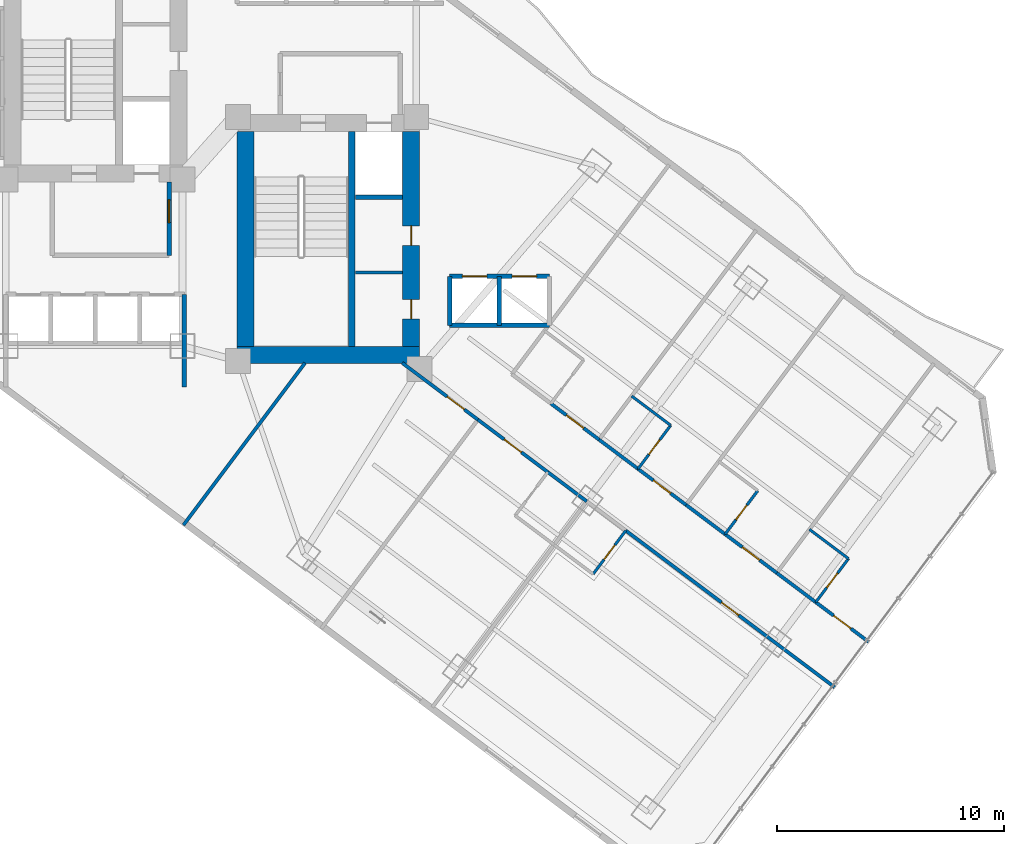
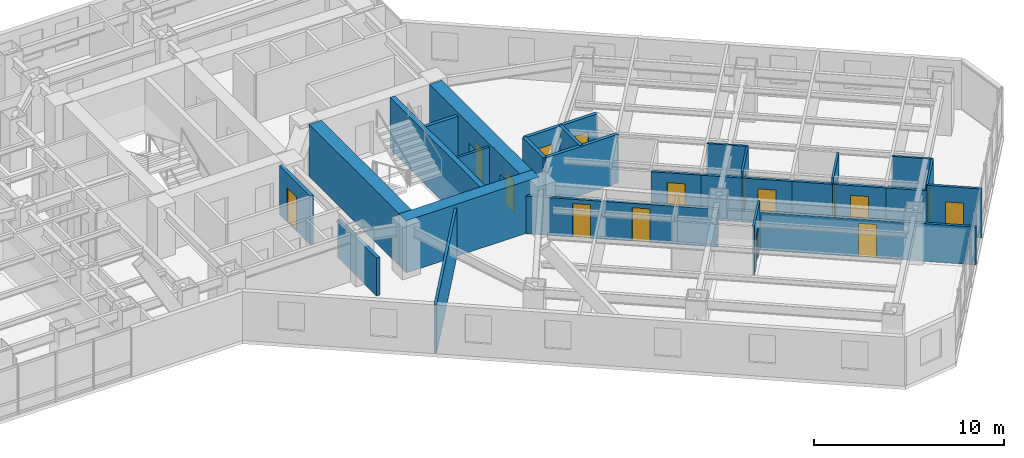
# One storey, part 23 of 33: 30 walls, 16 doors, 16 openings.
"""IFC4 building model written with IfcOpenShell, lengths in metres."""

from ifc_helpers import new_model, si_unit, direction, frame, frame_2d, origin, place, context, subcontext, project, spatial, rectangle, extrude, material, layer, layer_set, type_object, element, fill, save


model = new_model("IFC4")

# Units and contexts
model_context = context("Model", 3, precision=1e-05, world=origin(), true_north=direction((0.0, 1.0)))
body_context = subcontext(model_context, "Body", "Model", "MODEL_VIEW")
ifc_project = project(units=[si_unit("LENGTHUNIT", "METRE"), si_unit("AREAUNIT", "SQUARE_METRE"), si_unit("VOLUMEUNIT", "CUBIC_METRE"), si_unit("PLANEANGLEUNIT", "RADIAN"), si_unit("MASSUNIT", "GRAM", prefix="KILO")], contexts=[model_context])

# Site, building, storey
site_placement = place(None, origin())
site = spatial("IfcSite", under=ifc_project, at=site_placement, CompositionType="ELEMENT")
building_placement = place(site_placement, origin())
building = spatial("IfcBuilding", under=site, at=building_placement, Name="Hatsunagi Terrace Concourse", CompositionType="ELEMENT")
storey_placement = place(building_placement, frame((0.0, 0.0, 56.699951171875)))
storey = spatial("IfcBuildingStorey", under=building, at=storey_placement, Name="L14", CompositionType="ELEMENT", Elevation=56.699951171875)

# Walls
ifc_material_1 = material(Name="Concrete Fc60", Category="concrete")
ifc_layer_1 = layer(ifc_material_1, 0.75)
ifc_layer_set_1 = layer_set([ifc_layer_1], Name="CoreShearWall_Fc60_750")
wall_type_1 = type_object("IfcWallType", Name="CoreShearWall_Fc60_750", PredefinedType="SHEAR", material=ifc_layer_set_1)
wall_1_placement = place(storey_placement, frame((35.739990234375, 24.81494140625, 0.0), z_axis=(0.0, 0.0, 1.0), x_axis=(1.0, 0.0, 0.0)))
element("IfcWall", 1, at=wall_1_placement, inside=storey, type_object=wall_type_1, Name="Core B Shear Wall S L14", PredefinedType="SHEAR", context=body_context, shape_type="SweptSolid", body=[
    extrude(rectangle(XDim=8.06005859375, YDim=0.75, at=frame_2d((4.030029296875, 0.0))), origin(), (0.0, 0.0, 1.0), 3.35009765625),
])
wall_2_placement = place(storey_placement, frame((36.114990234375, 25.18994140625, 0.0), z_axis=(0.0, 0.0, 1.0), x_axis=(0.0, 1.0, 0.0)))
element("IfcWall", 2, at=wall_2_placement, inside=storey, type_object=wall_type_1, Name="Core B Shear Wall W L14", PredefinedType="SHEAR", context=body_context, shape_type="SweptSolid", body=[
    extrude(rectangle(XDim=9.47998046875, YDim=0.75, at=frame_2d((4.739990234375, 0.0))), origin(), (0.0, 0.0, 1.0), 3.35009765625),
])

# Wall, openings, doors
wall_3_placement = place(storey_placement, frame((43.425048828125, 25.18994140625, 0.0), z_axis=(0.0, 0.0, 1.0), x_axis=(0.0, 1.0, 0.0)))
wall_3 = element("IfcWall", 3, at=wall_3_placement, inside=storey, type_object=wall_type_1, Name="Core B Shear Wall E L14", PredefinedType="SHEAR", context=body_context, shape_type="SweptSolid", body=[
    extrude(rectangle(XDim=9.47998046875, YDim=0.75, at=frame_2d((4.739990234375, 0.0))), origin(), (0.0, 0.0, 1.0), 3.35009765625),
])
opening_1_placement = place(wall_3_placement, frame((1.2099609375, 0.0, 0.0)))
opening_1 = element("IfcOpeningElement", 4, at=opening_1_placement, cuts=wall_3, Name="Opening DR-085", PredefinedType="OPENING", context=body_context, shape_type="SweptSolid", body=[
    extrude(rectangle(XDim=0.85009765625, YDim=2.080078125, at=frame_2d((0.425048828125, 1.0400390625))), frame((0.0, 0.385009765625, 0.0), z_axis=(0.0, -1.0, 0.0), x_axis=(1.0, 0.0, 0.0)), (0.0, 0.0, 1.0), 0.77001953125),
])
opening_2_placement = place(wall_3_placement, frame((4.4599609375, 0.0, 0.0)))
opening_2 = element("IfcOpeningElement", 5, at=opening_2_placement, cuts=wall_3, Name="Opening DR-085", PredefinedType="OPENING", context=body_context, shape_type="SweptSolid", body=[
    extrude(rectangle(XDim=0.85009765625, YDim=2.080078125, at=frame_2d((0.425048828125, 1.0400390625))), frame((0.0, 0.385009765625, 0.0), z_axis=(0.0, -1.0, 0.0), x_axis=(1.0, 0.0, 0.0)), (0.0, 0.0, 1.0), 0.77001953125),
])
ifc_material_2 = material(Name="Painted steel", Category="steel")
door_type_1 = type_object("IfcDoorType", Name="RiserAccessDoor_EI60_850", OperationType="NOTDEFINED", PredefinedType="DOOR", material=ifc_material_2)
door_1_placement = place(opening_1_placement, origin())
door_1 = element("IfcDoor", 6, at=door_1_placement, inside=storey, type_object=door_type_1, Name="Core B Riser Door L14-1", OperationType="SINGLE_SWING_RIGHT", OverallHeight=2.080078125, OverallWidth=0.85009765625, PredefinedType="DOOR", context=body_context, shape_type="SweptSolid", body=[
    extrude(rectangle(XDim=0.85009765625, YDim=2.080078125, at=frame_2d((0.425048828125, 1.0400390625))), frame((0.0, 0.02490234375, 0.0), z_axis=(0.0, -1.0, 0.0), x_axis=(1.0, 0.0, 0.0)), (0.0, 0.0, 1.0), 0.050048828125),
])
fill(opening_1, door_1)
door_2_placement = place(opening_2_placement, origin())
door_2 = element("IfcDoor", 7, at=door_2_placement, inside=storey, type_object=door_type_1, Name="Core B Riser Door L14-2", OperationType="SINGLE_SWING_RIGHT", OverallHeight=2.080078125, OverallWidth=0.85009765625, PredefinedType="DOOR", context=body_context, shape_type="SweptSolid", body=[
    extrude(rectangle(XDim=0.85009765625, YDim=2.080078125, at=frame_2d((0.425048828125, 1.0400390625))), frame((0.0, 0.02490234375, 0.0), z_axis=(0.0, -1.0, 0.0), x_axis=(1.0, 0.0, 0.0)), (0.0, 0.0, 1.0), 0.050048828125),
])
fill(opening_2, door_2)

# Wall
ifc_material_3 = material(Name="Concrete Fc48", Category="concrete")
ifc_layer_2 = layer(ifc_material_3, 0.300048828125)
ifc_layer_set_2 = layer_set([ifc_layer_2], Name="CoreStairDivider_Fc48_300")
wall_type_2 = type_object("IfcWallType", Name="CoreStairDivider_Fc48_300", PredefinedType="SHEAR", material=ifc_layer_set_2)
wall_4_placement = place(storey_placement, frame((40.81005859375, 25.18994140625, 0.0), z_axis=(0.0, 0.0, 1.0), x_axis=(0.0, 1.0, 0.0)))
element("IfcWall", 8, at=wall_4_placement, inside=storey, type_object=wall_type_2, Name="Core B Shear Wall D L14", PredefinedType="SHEAR", context=body_context, shape_type="SweptSolid", body=[
    extrude(rectangle(XDim=9.47998046875, YDim=0.300048828125, at=frame_2d((4.739990234375, 0.0))), origin(), (0.0, 0.0, 1.0), 3.35009765625),
])

# Wall, opening, door
ifc_material_4 = material(Name="Acoustic mineral board", Category="gypsum")
ifc_layer_3 = layer(ifc_material_4, 0.1201171875)
ifc_layer_set_3 = layer_set([ifc_layer_3], Name="PartitionWall_EI30_120")
wall_type_3 = type_object("IfcWallType", Name="PartitionWall_EI30_120", PredefinedType="PARTITIONING", material=ifc_layer_set_3)
wall_5_placement = place(storey_placement, frame((53.429931640625, 19.7900390625, 0.0), z_axis=(0.0, 0.0, 1.0), x_axis=(0.600065100855, 0.79995117022, 0.0)))
wall_5 = element("IfcWall", 9, at=wall_5_placement, inside=storey, type_object=wall_type_3, Name="Interior Partition IW-L14-079", PredefinedType="PARTITIONING", context=body_context, shape_type="SweptSolid", body=[
    extrude(rectangle(XDim=2.400146484375, YDim=0.1201171875, at=frame_2d((1.2001953125, 0.0))), origin(), (0.0, 0.0, 1.0), 3.130126953125),
])
opening_3_placement = place(wall_5_placement, frame((0.800048828125, 0.0, 0.0)))
opening_3 = element("IfcOpeningElement", 10, at=opening_3_placement, cuts=wall_5, Name="Opening DR-080", PredefinedType="OPENING", context=body_context, shape_type="SweptSolid", body=[
    extrude(rectangle(XDim=0.800048828125, YDim=2.06005859375, at=frame_2d((0.39990234375, 1.030029296875))), frame((0.0, 0.070068359375, 0.0), z_axis=(0.0, -1.0, 0.0), x_axis=(1.0, 0.0, 0.0)), (0.0, 0.0, 1.0), 0.14013671875),
])
ifc_material_5 = material(Name="Hardwood timber", Category="wood")
door_type_2 = type_object("IfcDoorType", Name="BathroomDoor_800", OperationType="NOTDEFINED", PredefinedType="DOOR", material=ifc_material_5)
door_3_placement = place(opening_3_placement, origin())
door_3 = element("IfcDoor", 11, at=door_3_placement, inside=storey, type_object=door_type_2, Name="En-Suite Bathroom L14-SENE2 Door", OperationType="SINGLE_SWING_RIGHT", OverallHeight=2.06005859375, OverallWidth=0.800048828125, PredefinedType="DOOR", context=body_context, shape_type="SweptSolid", body=[
    extrude(rectangle(XDim=0.800048828125, YDim=2.06005859375, at=frame_2d((0.39990234375, 1.030029296875))), frame((0.0, 0.02490234375, 0.0), z_axis=(0.0, -1.0, 0.0), x_axis=(1.0, 0.0, 0.0)), (0.0, 0.0, 1.0), 0.050048828125),
])
fill(opening_3, door_3)

# Wall
wall_6_placement = place(storey_placement, frame((53.14990234375, 23.0, 0.0), z_axis=(0.0, 0.0, 1.0), x_axis=(0.800027249606, -0.599963665473, 0.0)))
element("IfcWall", 12, at=wall_6_placement, inside=storey, type_object=wall_type_3, Name="Interior Partition IW-L14-080", PredefinedType="PARTITIONING", context=body_context, shape_type="SweptSolid", body=[
    extrude(rectangle(XDim=2.150146484375, YDim=0.1201171875, at=frame_2d((1.0751953125, 0.0))), origin(), (0.0, 0.0, 1.0), 3.130126953125),
])

# Wall, opening, door
wall_7_placement = place(storey_placement, frame((57.27001953125, 16.909912109375, 0.0), z_axis=(0.0, 0.0, 1.0), x_axis=(0.599951172744, 0.800036618114, 0.0)))
wall_7 = element("IfcWall", 13, at=wall_7_placement, inside=storey, type_object=wall_type_3, Name="Interior Partition IW-L14-084", PredefinedType="PARTITIONING", context=body_context, shape_type="SweptSolid", body=[
    extrude(rectangle(XDim=2.400146484375, YDim=0.1201171875, at=frame_2d((1.2001953125, 0.0))), origin(), (0.0, 0.0, 1.0), 3.130126953125),
])
opening_4_placement = place(wall_7_placement, frame((0.800048828125, 0.0, 0.0)))
opening_4 = element("IfcOpeningElement", 14, at=opening_4_placement, cuts=wall_7, Name="Opening DR-080", PredefinedType="OPENING", context=body_context, shape_type="SweptSolid", body=[
    extrude(rectangle(XDim=0.800048828125, YDim=2.06005859375, at=frame_2d((0.39990234375, 1.030029296875))), frame((0.0, 0.070068359375, 0.0), z_axis=(0.0, -1.0, 0.0), x_axis=(1.0, 0.0, 0.0)), (0.0, 0.0, 1.0), 0.14013671875),
])
door_4_placement = place(opening_4_placement, origin())
door_4 = element("IfcDoor", 15, at=door_4_placement, inside=storey, type_object=door_type_2, Name="En-Suite Bathroom L14-SENE3 Door", OperationType="SINGLE_SWING_LEFT", OverallHeight=2.06005859375, OverallWidth=0.800048828125, PredefinedType="DOOR", context=body_context, shape_type="SweptSolid", body=[
    extrude(rectangle(XDim=0.800048828125, YDim=2.06005859375, at=frame_2d((0.39990234375, 1.030029296875))), frame((0.0, 0.02490234375, 0.0), z_axis=(0.0, -1.0, 0.0), x_axis=(1.0, 0.0, 0.0)), (0.0, 0.0, 1.0), 0.050048828125),
])
fill(opening_4, door_4)

wall_8_placement = place(storey_placement, frame((61.27001953125, 13.909912109375, 0.0), z_axis=(0.0, 0.0, 1.0), x_axis=(0.599951172744, 0.800036618114, 0.0)))
wall_8 = element("IfcWall", 16, at=wall_8_placement, inside=storey, type_object=wall_type_3, Name="Interior Partition IW-L14-089", PredefinedType="PARTITIONING", context=body_context, shape_type="SweptSolid", body=[
    extrude(rectangle(XDim=2.400146484375, YDim=0.1201171875, at=frame_2d((1.2001953125, 0.0))), origin(), (0.0, 0.0, 1.0), 3.130126953125),
])
opening_5_placement = place(wall_8_placement, frame((0.800048828125, 0.0, 0.0)))
opening_5 = element("IfcOpeningElement", 17, at=opening_5_placement, cuts=wall_8, Name="Opening DR-080", PredefinedType="OPENING", context=body_context, shape_type="SweptSolid", body=[
    extrude(rectangle(XDim=0.800048828125, YDim=2.06005859375, at=frame_2d((0.39990234375, 1.030029296875))), frame((0.0, 0.070068359375, 0.0), z_axis=(0.0, -1.0, 0.0), x_axis=(1.0, 0.0, 0.0)), (0.0, 0.0, 1.0), 0.14013671875),
])
door_5_placement = place(opening_5_placement, origin())
door_5 = element("IfcDoor", 18, at=door_5_placement, inside=storey, type_object=door_type_2, Name="En-Suite Bathroom L14-SENE4 Door", OperationType="SINGLE_SWING_RIGHT", OverallHeight=2.06005859375, OverallWidth=0.800048828125, PredefinedType="DOOR", context=body_context, shape_type="SweptSolid", body=[
    extrude(rectangle(XDim=0.800048828125, YDim=2.06005859375, at=frame_2d((0.39990234375, 1.030029296875))), frame((0.0, 0.02490234375, 0.0), z_axis=(0.0, -1.0, 0.0), x_axis=(1.0, 0.0, 0.0)), (0.0, 0.0, 1.0), 0.050048828125),
])
fill(opening_5, door_5)

# Wall
wall_9_placement = place(storey_placement, frame((60.989990234375, 17.1201171875, 0.0), z_axis=(0.0, 0.0, 1.0), x_axis=(0.79998637334, -0.60001816845, 0.0)))
element("IfcWall", 19, at=wall_9_placement, inside=storey, type_object=wall_type_3, Name="Interior Partition IW-L14-090", PredefinedType="PARTITIONING", context=body_context, shape_type="SweptSolid", body=[
    extrude(rectangle(XDim=2.14990234375, YDim=0.1201171875, at=frame_2d((1.074951171875, 0.0))), origin(), (0.0, 0.0, 1.0), 3.130126953125),
])

# Wall, opening, door
wall_10_placement = place(storey_placement, frame((51.449951171875, 15.14990234375, 0.0), z_axis=(0.0, 0.0, 1.0), x_axis=(0.599951172744, 0.800036618114, 0.0)))
wall_10 = element("IfcWall", 20, at=wall_10_placement, inside=storey, type_object=wall_type_3, Name="Interior Partition IW-L14-098", PredefinedType="PARTITIONING", context=body_context, shape_type="SweptSolid", body=[
    extrude(rectangle(XDim=2.400146484375, YDim=0.1201171875, at=frame_2d((1.2001953125, 0.0))), origin(), (0.0, 0.0, 1.0), 3.130126953125),
])
opening_6_placement = place(wall_10_placement, frame((0.800048828125, 0.0, 0.0)))
opening_6 = element("IfcOpeningElement", 21, at=opening_6_placement, cuts=wall_10, Name="Opening DR-080", PredefinedType="OPENING", context=body_context, shape_type="SweptSolid", body=[
    extrude(rectangle(XDim=0.800048828125, YDim=2.06005859375, at=frame_2d((0.39990234375, 1.030029296875))), frame((0.0, 0.070068359375, 0.0), z_axis=(0.0, -1.0, 0.0), x_axis=(1.0, 0.0, 0.0)), (0.0, 0.0, 1.0), 0.14013671875),
])
door_6_placement = place(opening_6_placement, origin())
door_6 = element("IfcDoor", 22, at=door_6_placement, inside=storey, type_object=door_type_2, Name="En-Suite Bathroom L14-SESW2 Door", OperationType="SINGLE_SWING_RIGHT", OverallHeight=2.06005859375, OverallWidth=0.800048828125, PredefinedType="DOOR", context=body_context, shape_type="SweptSolid", body=[
    extrude(rectangle(XDim=0.800048828125, YDim=2.06005859375, at=frame_2d((0.39990234375, 1.030029296875))), frame((0.0, 0.02490234375, 0.0), z_axis=(0.0, -1.0, 0.0), x_axis=(1.0, 0.0, 0.0)), (0.0, 0.0, 1.0), 0.050048828125),
])
fill(opening_6, door_6)

# Wall
ifc_material_6 = material(Name="Acoustic mineral board", Category="gypsum")
ifc_layer_4 = layer(ifc_material_6, 0.14990234375)
ifc_layer_set_4 = layer_set([ifc_layer_4], Name="PartitionWall_EI60_150")
wall_type_4 = type_object("IfcWallType", Name="PartitionWall_EI60_150", PredefinedType="PARTITIONING", material=ifc_layer_set_4)
wall_11_placement = place(storey_placement, frame((40.969970703125, 28.449951171875, 0.0), z_axis=(0.0, 0.0, 1.0), x_axis=(1.0, 0.0, 0.0)))
element("IfcWall", 23, at=wall_11_placement, inside=storey, type_object=wall_type_4, Name="Interior Partition IW-L14-004", PredefinedType="PARTITIONING", context=body_context, shape_type="SweptSolid", body=[
    extrude(rectangle(XDim=2.080078125, YDim=0.14990234375, at=frame_2d((1.0400390625, 0.0))), origin(), (0.0, 0.0, 1.0), 3.130126953125),
])

# Wall, opening, door
wall_12_placement = place(storey_placement, frame((43.037109375, 24.4599609375, 0.0), z_axis=(0.0, 0.0, 1.0), x_axis=(0.799971872363, -0.600037501685, 0.0)))
wall_12 = element("IfcWall", 24, at=wall_12_placement, inside=storey, type_object=wall_type_4, Name="Interior Partition IW-L14-041", PredefinedType="PARTITIONING", context=body_context, shape_type="SweptSolid", body=[
    extrude(rectangle(XDim=4.16650390625, YDim=0.14990234375, at=frame_2d((2.083251953125, 0.0))), origin(), (0.0, 0.0, 1.0), 2.425048828125),
])
opening_7_placement = place(wall_12_placement, frame((2.468017578125, 0.0, 0.0)))
opening_7 = element("IfcOpeningElement", 25, at=opening_7_placement, cuts=wall_12, Name="Opening DR-095", PredefinedType="OPENING", context=body_context, shape_type="SweptSolid", body=[
    extrude(rectangle(XDim=0.949951171875, YDim=2.14990234375, at=frame_2d((0.47509765625, 1.074951171875))), frame((0.0, 0.0849609375, 0.0), z_axis=(0.0, -1.0, 0.0), x_axis=(1.0, 0.0, 0.0)), (0.0, 0.0, 1.0), 0.169921875),
])
ifc_material_7 = material(Name="Hardwood timber", Category="wood")
door_type_3 = type_object("IfcDoorType", Name="InteriorSuiteDoor_EI30_950", OperationType="NOTDEFINED", PredefinedType="DOOR", material=ifc_material_7)
door_7_placement = place(opening_7_placement, origin())
door_7 = element("IfcDoor", 26, at=door_7_placement, inside=storey, type_object=door_type_3, Name="Meeting Room L14-HMTG Door", OperationType="SINGLE_SWING_RIGHT", OverallHeight=2.14990234375, OverallWidth=0.949951171875, PredefinedType="DOOR", context=body_context, shape_type="SweptSolid", body=[
    extrude(rectangle(XDim=0.949951171875, YDim=2.14990234375, at=frame_2d((0.47509765625, 1.074951171875))), frame((0.0, 0.02490234375, 0.0), z_axis=(0.0, -1.0, 0.0), x_axis=(1.0, 0.0, 0.0)), (0.0, 0.0, 1.0), 0.050048828125),
])
fill(opening_7, door_7)

# Wall
wall_13_placement = place(storey_placement, frame((33.384033203125, 17.31201171875, 0.0), z_axis=(0.0, 0.0, 1.0), x_axis=(0.600008743659, 0.799993442181, 0.0)))
element("IfcWall", 27, at=wall_13_placement, inside=storey, type_object=wall_type_4, Name="Interior Partition IW-L14-042", PredefinedType="PARTITIONING", context=body_context, shape_type="SweptSolid", body=[
    extrude(rectangle(XDim=8.93505859375, YDim=0.14990234375, at=frame_2d((4.467529296875, 0.0))), origin(), (0.0, 0.0, 1.0), 3.130126953125),
])

# Wall, opening, door
wall_14_placement = place(storey_placement, frame((49.590087890625, 22.669921875, 0.0), z_axis=(0.0, 0.0, 1.0), x_axis=(0.800011056104, -0.599985258246, 0.0)))
wall_14 = element("IfcWall", 28, at=wall_14_placement, inside=storey, type_object=wall_type_4, Name="Interior Partition IW-L14-072", PredefinedType="PARTITIONING", context=body_context, shape_type="SweptSolid", body=[
    extrude(rectangle(XDim=2.64990234375, YDim=0.14990234375, at=frame_2d((1.324951171875, 0.0))), origin(), (0.0, 0.0, 1.0), 2.775146484375),
])
opening_8_placement = place(wall_14_placement, frame((0.85009765625, 0.0, 0.0)))
opening_8 = element("IfcOpeningElement", 29, at=opening_8_placement, cuts=wall_14, Name="Opening DR-095", PredefinedType="OPENING", context=body_context, shape_type="SweptSolid", body=[
    extrude(rectangle(XDim=0.949951171875, YDim=2.14990234375, at=frame_2d((0.47509765625, 1.074951171875))), frame((0.0, 0.0849609375, 0.0), z_axis=(0.0, -1.0, 0.0), x_axis=(1.0, 0.0, 0.0)), (0.0, 0.0, 1.0), 0.169921875),
])
door_8_placement = place(opening_8_placement, origin())
door_8 = element("IfcDoor", 30, at=door_8_placement, inside=storey, type_object=door_type_3, Name="Hotel Guest Room L14-SENE1 Door", OperationType="SINGLE_SWING_LEFT", OverallHeight=2.14990234375, OverallWidth=0.949951171875, PredefinedType="DOOR", context=body_context, shape_type="SweptSolid", body=[
    extrude(rectangle(XDim=0.949951171875, YDim=2.14990234375, at=frame_2d((0.47509765625, 1.074951171875))), frame((0.0, 0.02490234375, 0.0), z_axis=(0.0, -1.0, 0.0), x_axis=(1.0, 0.0, 0.0)), (0.0, 0.0, 1.0), 0.050048828125),
])
fill(opening_8, door_8)

# Wall
wall_15_placement = place(storey_placement, frame((51.7099609375, 21.080078125, 0.0), z_axis=(0.0, 0.0, 1.0), x_axis=(0.79998637334, -0.60001816845, 0.0)))
element("IfcWall", 31, at=wall_15_placement, inside=storey, type_object=wall_type_4, Name="Interior Partition IW-L14-077", PredefinedType="PARTITIONING", context=body_context, shape_type="SweptSolid", body=[
    extrude(rectangle(XDim=2.14990234375, YDim=0.14990234375, at=frame_2d((1.074951171875, 0.0))), origin(), (0.0, 0.0, 1.0), 2.775146484375),
])

# Wall, opening, door
wall_16_placement = place(storey_placement, frame((53.429931640625, 19.7900390625, 0.0), z_axis=(0.0, 0.0, 1.0), x_axis=(0.8, -0.6, 0.0)))
wall_16 = element("IfcWall", 32, at=wall_16_placement, inside=storey, type_object=wall_type_4, Name="Interior Partition IW-L14-078", PredefinedType="PARTITIONING", context=body_context, shape_type="SweptSolid", body=[
    extrude(rectangle(XDim=2.650146484375, YDim=0.14990234375, at=frame_2d((1.3251953125, 0.0))), origin(), (0.0, 0.0, 1.0), 2.775146484375),
])
opening_9_placement = place(wall_16_placement, frame((0.85009765625, 0.0, 0.0)))
opening_9 = element("IfcOpeningElement", 33, at=opening_9_placement, cuts=wall_16, Name="Opening DR-095", PredefinedType="OPENING", context=body_context, shape_type="SweptSolid", body=[
    extrude(rectangle(XDim=0.949951171875, YDim=2.14990234375, at=frame_2d((0.47509765625, 1.074951171875))), frame((0.0, 0.0849609375, 0.0), z_axis=(0.0, -1.0, 0.0), x_axis=(1.0, 0.0, 0.0)), (0.0, 0.0, 1.0), 0.169921875),
])
door_9_placement = place(opening_9_placement, origin())
door_9 = element("IfcDoor", 34, at=door_9_placement, inside=storey, type_object=door_type_3, Name="Hotel Guest Room L14-SENE2 Door", OperationType="SINGLE_SWING_LEFT", OverallHeight=2.14990234375, OverallWidth=0.949951171875, PredefinedType="DOOR", context=body_context, shape_type="SweptSolid", body=[
    extrude(rectangle(XDim=0.949951171875, YDim=2.14990234375, at=frame_2d((0.47509765625, 1.074951171875))), frame((0.0, 0.02490234375, 0.0), z_axis=(0.0, -1.0, 0.0), x_axis=(1.0, 0.0, 0.0)), (0.0, 0.0, 1.0), 0.050048828125),
])
fill(opening_9, door_9)

# Wall
wall_17_placement = place(storey_placement, frame((55.550048828125, 18.199951171875, 0.0), z_axis=(0.0, 0.0, 1.0), x_axis=(0.79998637334, -0.60001816845, 0.0)))
element("IfcWall", 35, at=wall_17_placement, inside=storey, type_object=wall_type_4, Name="Interior Partition IW-L14-082", PredefinedType="PARTITIONING", context=body_context, shape_type="SweptSolid", body=[
    extrude(rectangle(XDim=2.14990234375, YDim=0.14990234375, at=frame_2d((1.074951171875, 0.0))), origin(), (0.0, 0.0, 1.0), 2.775146484375),
])

# Wall, opening, door
wall_18_placement = place(storey_placement, frame((57.27001953125, 16.909912109375, 0.0), z_axis=(0.0, 0.0, 1.0), x_axis=(0.800010279488, -0.599986293772, 0.0)))
wall_18 = element("IfcWall", 36, at=wall_18_placement, inside=storey, type_object=wall_type_4, Name="Interior Partition IW-L14-083", PredefinedType="PARTITIONING", context=body_context, shape_type="SweptSolid", body=[
    extrude(rectangle(XDim=2.85009765625, YDim=0.14990234375, at=frame_2d((1.425048828125, 0.0))), origin(), (0.0, 0.0, 1.0), 2.775146484375),
])
opening_10_placement = place(wall_18_placement, frame((0.949951171875, 0.0, 0.0)))
opening_10 = element("IfcOpeningElement", 37, at=opening_10_placement, cuts=wall_18, Name="Opening DR-095", PredefinedType="OPENING", context=body_context, shape_type="SweptSolid", body=[
    extrude(rectangle(XDim=0.949951171875, YDim=2.14990234375, at=frame_2d((0.47509765625, 1.074951171875))), frame((0.0, 0.0849609375, 0.0), z_axis=(0.0, -1.0, 0.0), x_axis=(1.0, 0.0, 0.0)), (0.0, 0.0, 1.0), 0.169921875),
])
door_10_placement = place(opening_10_placement, origin())
door_10 = element("IfcDoor", 38, at=door_10_placement, inside=storey, type_object=door_type_3, Name="Hotel Guest Room L14-SENE3 Door", OperationType="SINGLE_SWING_LEFT", OverallHeight=2.14990234375, OverallWidth=0.949951171875, PredefinedType="DOOR", context=body_context, shape_type="SweptSolid", body=[
    extrude(rectangle(XDim=0.949951171875, YDim=2.14990234375, at=frame_2d((0.47509765625, 1.074951171875))), frame((0.0, 0.02490234375, 0.0), z_axis=(0.0, -1.0, 0.0), x_axis=(1.0, 0.0, 0.0)), (0.0, 0.0, 1.0), 0.050048828125),
])
fill(opening_10, door_10)

# Wall
wall_19_placement = place(storey_placement, frame((59.550048828125, 15.199951171875, 0.0), z_axis=(0.0, 0.0, 1.0), x_axis=(0.79998637334, -0.60001816845, 0.0)))
element("IfcWall", 39, at=wall_19_placement, inside=storey, type_object=wall_type_4, Name="Interior Partition IW-L14-087", PredefinedType="PARTITIONING", context=body_context, shape_type="SweptSolid", body=[
    extrude(rectangle(XDim=2.14990234375, YDim=0.14990234375, at=frame_2d((1.074951171875, 0.0))), origin(), (0.0, 0.0, 1.0), 2.775146484375),
])

# Wall, opening, door
wall_20_placement = place(storey_placement, frame((61.27001953125, 13.909912109375, 0.0), z_axis=(0.0, 0.0, 1.0), x_axis=(0.800010068184, -0.59998657552, 0.0)))
wall_20 = element("IfcWall", 40, at=wall_20_placement, inside=storey, type_object=wall_type_4, Name="Interior Partition IW-L14-088", PredefinedType="PARTITIONING", context=body_context, shape_type="SweptSolid", body=[
    extrude(rectangle(XDim=2.909912109375, YDim=0.14990234375, at=frame_2d((1.455078125, 0.0))), origin(), (0.0, 0.0, 1.0), 3.130126953125),
])
opening_11_placement = place(wall_20_placement, frame((0.97998046875, 0.0, 0.0)))
opening_11 = element("IfcOpeningElement", 41, at=opening_11_placement, cuts=wall_20, Name="Opening DR-095", PredefinedType="OPENING", context=body_context, shape_type="SweptSolid", body=[
    extrude(rectangle(XDim=0.949951171875, YDim=2.14990234375, at=frame_2d((0.47509765625, 1.074951171875))), frame((0.0, 0.0849609375, 0.0), z_axis=(0.0, -1.0, 0.0), x_axis=(1.0, 0.0, 0.0)), (0.0, 0.0, 1.0), 0.169921875),
])
door_11_placement = place(opening_11_placement, origin())
door_11 = element("IfcDoor", 42, at=door_11_placement, inside=storey, type_object=door_type_3, Name="Hotel Guest Room L14-SENE4 Door", OperationType="SINGLE_SWING_LEFT", OverallHeight=2.14990234375, OverallWidth=0.949951171875, PredefinedType="DOOR", context=body_context, shape_type="SweptSolid", body=[
    extrude(rectangle(XDim=0.949951171875, YDim=2.14990234375, at=frame_2d((0.47509765625, 1.074951171875))), frame((0.0, 0.02490234375, 0.0), z_axis=(0.0, -1.0, 0.0), x_axis=(1.0, 0.0, 0.0)), (0.0, 0.0, 1.0), 0.050048828125),
])
fill(opening_11, door_11)

wall_21_placement = place(storey_placement, frame((46.3701171875, 21.9599609375, 0.0), z_axis=(0.0, 0.0, 1.0), x_axis=(0.799977170108, -0.600030438649, 0.0)))
wall_21 = element("IfcWall", 43, at=wall_21_placement, inside=storey, type_object=wall_type_4, Name="Interior Partition IW-L14-091", PredefinedType="PARTITIONING", context=body_context, shape_type="SweptSolid", body=[
    extrude(rectangle(XDim=3.849853515625, YDim=0.14990234375, at=frame_2d((1.9248046875, 0.0))), origin(), (0.0, 0.0, 1.0), 2.425048828125),
])
opening_12_placement = place(wall_21_placement, frame((1.449951171875, 0.0, 0.0)))
opening_12 = element("IfcOpeningElement", 44, at=opening_12_placement, cuts=wall_21, Name="Opening DR-095", PredefinedType="OPENING", context=body_context, shape_type="SweptSolid", body=[
    extrude(rectangle(XDim=0.949951171875, YDim=2.14990234375, at=frame_2d((0.47509765625, 1.074951171875))), frame((0.0, 0.0849609375, 0.0), z_axis=(0.0, -1.0, 0.0), x_axis=(1.0, 0.0, 0.0)), (0.0, 0.0, 1.0), 0.169921875),
])
door_12_placement = place(opening_12_placement, origin())
door_12 = element("IfcDoor", 45, at=door_12_placement, inside=storey, type_object=door_type_3, Name="Hotel Guest Room L14-SESW1 Door", OperationType="SINGLE_SWING_RIGHT", OverallHeight=2.14990234375, OverallWidth=0.949951171875, PredefinedType="DOOR", context=body_context, shape_type="SweptSolid", body=[
    extrude(rectangle(XDim=0.949951171875, YDim=2.14990234375, at=frame_2d((0.47509765625, 1.074951171875))), frame((0.0, 0.02490234375, 0.0), z_axis=(0.0, -1.0, 0.0), x_axis=(1.0, 0.0, 0.0)), (0.0, 0.0, 1.0), 0.050048828125),
])
fill(opening_12, door_12)

# Wall
wall_22_placement = place(storey_placement, frame((49.449951171875, 19.64990234375, 0.0), z_axis=(0.0, 0.0, 1.0), x_axis=(0.800040880289, -0.59994548908, 0.0)))
element("IfcWall", 46, at=wall_22_placement, inside=storey, type_object=wall_type_4, Name="Interior Partition IW-L14-092", PredefinedType="PARTITIONING", context=body_context, shape_type="SweptSolid", body=[
    extrude(rectangle(XDim=2.14990234375, YDim=0.14990234375, at=frame_2d((1.074951171875, 0.0))), origin(), (0.0, 0.0, 1.0), 2.425048828125),
])

# Wall, opening, door
wall_23_placement = place(storey_placement, frame((52.889892578125, 17.070068359375, 0.0), z_axis=(0.0, 0.0, 1.0), x_axis=(0.8, -0.6, 0.0)))
wall_23 = element("IfcWall", 47, at=wall_23_placement, inside=storey, type_object=wall_type_4, Name="Interior Partition IW-L14-097", PredefinedType="PARTITIONING", context=body_context, shape_type="SweptSolid", body=[
    extrude(rectangle(XDim=11.510009765625, YDim=0.14990234375, at=frame_2d((5.7548828125, 0.0))), origin(), (0.0, 0.0, 1.0), 2.425048828125),
])
opening_13_placement = place(wall_23_placement, frame((5.280029296875, 0.0, 0.0)))
opening_13 = element("IfcOpeningElement", 48, at=opening_13_placement, cuts=wall_23, Name="Opening DR-095", PredefinedType="OPENING", context=body_context, shape_type="SweptSolid", body=[
    extrude(rectangle(XDim=0.949951171875, YDim=2.14990234375, at=frame_2d((0.47509765625, 1.074951171875))), frame((0.0, 0.0849609375, 0.0), z_axis=(0.0, -1.0, 0.0), x_axis=(1.0, 0.0, 0.0)), (0.0, 0.0, 1.0), 0.169921875),
])
door_13_placement = place(opening_13_placement, origin())
door_13 = element("IfcDoor", 49, at=door_13_placement, inside=storey, type_object=door_type_3, Name="Corner Hotel Suite L14-SESW2 Door", OperationType="SINGLE_SWING_RIGHT", OverallHeight=2.14990234375, OverallWidth=0.949951171875, PredefinedType="DOOR", context=body_context, shape_type="SweptSolid", body=[
    extrude(rectangle(XDim=0.949951171875, YDim=2.14990234375, at=frame_2d((0.47509765625, 1.074951171875))), frame((0.0, 0.02490234375, 0.0), z_axis=(0.0, -1.0, 0.0), x_axis=(1.0, 0.0, 0.0)), (0.0, 0.0, 1.0), 0.050048828125),
])
fill(opening_13, door_13)

# Wall
ifc_material_8 = material(Name="Acoustic mineral board", Category="gypsum")
ifc_layer_5 = layer(ifc_material_8, 0.199951171875)
ifc_layer_set_5 = layer_set([ifc_layer_5], Name="ShaftWall_EI120_200")
wall_type_5 = type_object("IfcWallType", Name="ShaftWall_EI120_200", PredefinedType="STANDARD", material=ifc_layer_set_5)
wall_24_placement = place(storey_placement, frame((40.969970703125, 31.760009765625, 0.0), z_axis=(0.0, 0.0, 1.0), x_axis=(1.0, 0.0, 0.0)))
element("IfcWall", 50, at=wall_24_placement, inside=storey, type_object=wall_type_5, Name="Interior Partition IW-L14-003", PredefinedType="STANDARD", context=body_context, shape_type="SweptSolid", body=[
    extrude(rectangle(XDim=2.080078125, YDim=0.199951171875, at=frame_2d((1.0400390625, 0.0))), origin(), (0.0, 0.0, 1.0), 3.130126953125),
])

# Wall, opening, door
wall_25_placement = place(storey_placement, frame((32.75, 29.199951171875, 0.0), z_axis=(0.0, 0.0, 1.0), x_axis=(0.0, 1.0, 0.0)))
wall_25 = element("IfcWall", 51, at=wall_25_placement, inside=storey, type_object=wall_type_5, Name="Interior Partition IW-L14-007", PredefinedType="STANDARD", context=body_context, shape_type="SweptSolid", body=[
    extrude(rectangle(XDim=3.239990234375, YDim=0.199951171875, at=frame_2d((1.6201171875, 0.0))), origin(), (0.0, 0.0, 1.0), 3.130126953125),
])
opening_14_placement = place(wall_25_placement, frame((1.449951171875, 0.0, 0.0)))
opening_14 = element("IfcOpeningElement", 52, at=opening_14_placement, cuts=wall_25, Name="Opening DR-100F", PredefinedType="OPENING", context=body_context, shape_type="SweptSolid", body=[
    extrude(rectangle(XDim=1.0, YDim=2.199951171875, at=frame_2d((0.5, 1.10009765625))), frame((0.0, 0.10986328125, 0.0), z_axis=(0.0, -1.0, 0.0), x_axis=(1.0, 0.0, 0.0)), (0.0, 0.0, 1.0), 0.219970703125),
])
ifc_material_9 = material(Name="Painted steel", Category="steel")
door_type_4 = type_object("IfcDoorType", Name="FireDoor_EI60_1000", OperationType="NOTDEFINED", PredefinedType="DOOR", material=ifc_material_9)
door_14_placement = place(opening_14_placement, origin())
door_14 = element("IfcDoor", 53, at=door_14_placement, inside=storey, type_object=door_type_4, Name="Firefighting Lobby A Door L14", OperationType="SINGLE_SWING_RIGHT", OverallHeight=2.199951171875, OverallWidth=1.0, PredefinedType="DOOR", context=body_context, shape_type="SweptSolid", body=[
    extrude(rectangle(XDim=1.0, YDim=2.199951171875, at=frame_2d((0.5, 1.10009765625))), frame((0.0, 0.02490234375, 0.0), z_axis=(0.0, -1.0, 0.0), x_axis=(1.0, 0.0, 0.0)), (0.0, 0.0, 1.0), 0.050048828125),
])
fill(opening_14, door_14)

# Walls
wall_26_placement = place(storey_placement, frame((33.429931640625, 23.39990234375, 0.0), z_axis=(0.0, 0.0, 1.0), x_axis=(0.0, 1.0, 0.0)))
element("IfcWall", 54, at=wall_26_placement, inside=storey, type_object=wall_type_5, Name="Interior Partition IW-L14-012", PredefinedType="STANDARD", context=body_context, shape_type="SweptSolid", body=[
    extrude(rectangle(XDim=4.080078125, YDim=0.199951171875, at=frame_2d((2.0400390625, 0.0))), origin(), (0.0, 0.0, 1.0), 2.425048828125),
])
wall_27_placement = place(storey_placement, frame((45.1201171875, 26.1201171875, 0.0), z_axis=(0.0, 0.0, 1.0), x_axis=(1.0, 0.0, 0.0)))
element("IfcWall", 55, at=wall_27_placement, inside=storey, type_object=wall_type_5, Name="Interior Partition IW-L14-024", PredefinedType="STANDARD", context=body_context, shape_type="SweptSolid", body=[
    extrude(rectangle(XDim=4.39990234375, YDim=0.199951171875, at=frame_2d((2.199951171875, 0.0))), origin(), (0.0, 0.0, 1.0), 3.130126953125),
])
for number, where, z_axis, x_axis, name in (
    (56, (45.1201171875, 26.1201171875, 0.0), (0.0, 0.0, 1.0), (0.0, 1.0, 0.0), "Interior Partition IW-L14-025"),
    (57, (47.320068359375, 26.1201171875, 0.0), (0.0, 0.0, 1.0), (0.0, 1.0, 0.0), "Interior Partition IW-L14-027"),
):
    element("IfcWall", number, at=place(storey_placement, frame(where, z_axis=z_axis, x_axis=x_axis)), inside=storey, type_object=wall_type_5, Name=name, PredefinedType="STANDARD", context=body_context, shape_type="SweptSolid", body=[
        extrude(rectangle(XDim=2.159912109375, YDim=0.199951171875, at=frame_2d((1.080078125, 0.0))), origin(), (0.0, 0.0, 1.0), 3.130126953125),
    ])

# Wall, openings, doors
wall_28_placement = place(storey_placement, frame((45.1201171875, 28.280029296875, 0.0), z_axis=(0.0, 0.0, 1.0), x_axis=(1.0, 0.0, 0.0)))
wall_28 = element("IfcWall", 58, at=wall_28_placement, inside=storey, type_object=wall_type_5, Name="Interior Partition IW-L14-028", PredefinedType="STANDARD", context=body_context, shape_type="SweptSolid", body=[
    extrude(rectangle(XDim=4.39990234375, YDim=0.199951171875, at=frame_2d((2.199951171875, 0.0))), origin(), (0.0, 0.0, 1.0), 3.130126953125),
])
opening_15_placement = place(wall_28_placement, frame((0.56005859375, 0.0, 0.0)))
opening_15 = element("IfcOpeningElement", 59, at=opening_15_placement, cuts=wall_28, Name="Opening LD-03", PredefinedType="OPENING", context=body_context, shape_type="SweptSolid", body=[
    extrude(rectangle(XDim=1.080078125, YDim=2.14990234375, at=frame_2d((0.5400390625, 1.074951171875))), frame((0.0, 0.10986328125, 0.0), z_axis=(0.0, -1.0, 0.0), x_axis=(1.0, 0.0, 0.0)), (0.0, 0.0, 1.0), 0.219970703125),
])
opening_16_placement = place(wall_28_placement, frame((2.760009765625, 0.0, 0.0)))
opening_16 = element("IfcOpeningElement", 60, at=opening_16_placement, cuts=wall_28, Name="Opening LD-03", PredefinedType="OPENING", context=body_context, shape_type="SweptSolid", body=[
    extrude(rectangle(XDim=1.080078125, YDim=2.14990234375, at=frame_2d((0.5400390625, 1.074951171875))), frame((0.0, 0.10986328125, 0.0), z_axis=(0.0, -1.0, 0.0), x_axis=(1.0, 0.0, 0.0)), (0.0, 0.0, 1.0), 0.219970703125),
])
ifc_material_10 = material(Name="Stainless steel", Category="steel")
door_type_5 = type_object("IfcDoorType", Name="LiftLandingDoor_LD03", OperationType="SLIDING_TO_LEFT", PredefinedType="USERDEFINED", material=ifc_material_10)
door_15_placement = place(opening_15_placement, origin())
door_15 = element("IfcDoor", 61, at=door_15_placement, inside=storey, type_object=door_type_5, Name="Lift landing door PL-09 L14", ObjectType="SLIDING_LANDING_DOOR", OperationType="SLIDING_TO_LEFT", OverallHeight=2.14990234375, OverallWidth=1.080078125, PredefinedType="USERDEFINED", context=body_context, shape_type="SweptSolid", body=[
    extrude(rectangle(XDim=1.080078125, YDim=2.14990234375, at=frame_2d((0.5400390625, 1.074951171875))), frame((0.0, 0.02490234375, 0.0), z_axis=(0.0, -1.0, 0.0), x_axis=(1.0, 0.0, 0.0)), (0.0, 0.0, 1.0), 0.050048828125),
])
fill(opening_15, door_15)
door_16_placement = place(opening_16_placement, origin())
door_16 = element("IfcDoor", 62, at=door_16_placement, inside=storey, type_object=door_type_5, Name="Lift landing door PL-10 L14", ObjectType="SLIDING_LANDING_DOOR", OperationType="SLIDING_TO_LEFT", OverallHeight=2.14990234375, OverallWidth=1.080078125, PredefinedType="USERDEFINED", context=body_context, shape_type="SweptSolid", body=[
    extrude(rectangle(XDim=1.080078125, YDim=2.14990234375, at=frame_2d((0.5400390625, 1.074951171875))), frame((0.0, 0.02490234375, 0.0), z_axis=(0.0, -1.0, 0.0), x_axis=(1.0, 0.0, 0.0)), (0.0, 0.0, 1.0), 0.050048828125),
])
fill(opening_16, door_16)

save(model, "model.ifc")
